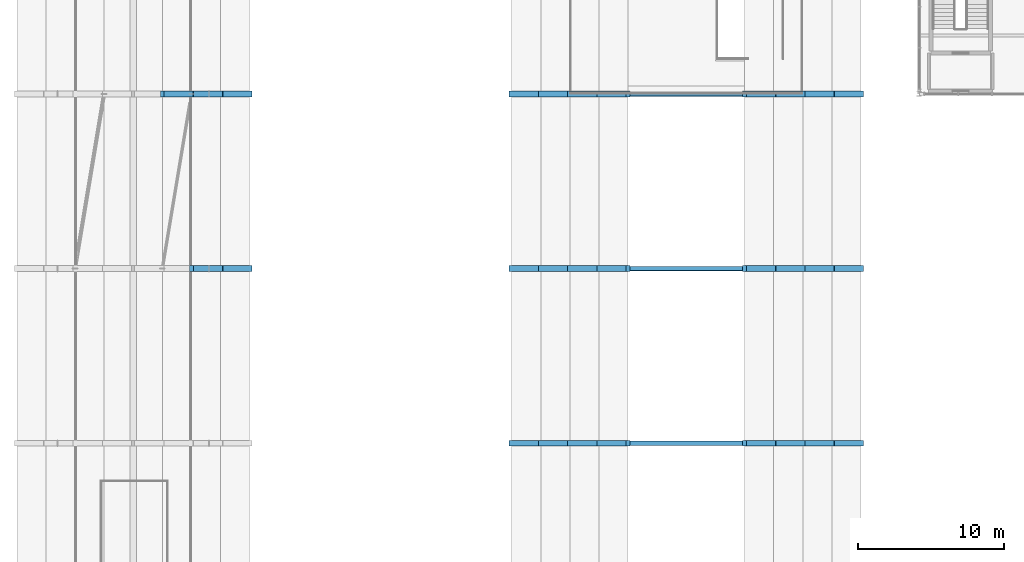
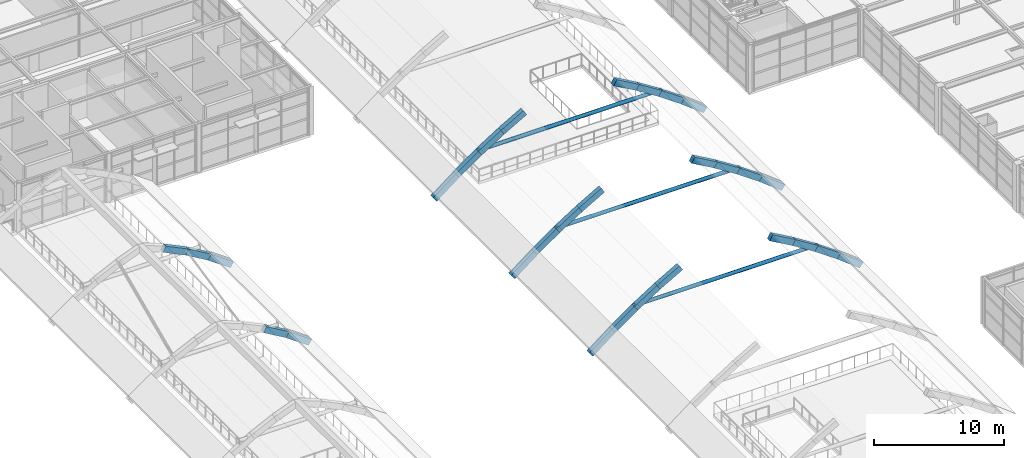
# One storey, part 17 of 82: 29 beams, 3 members.
"""IFC4 building model written with IfcOpenShell, lengths in metres."""

from ifc_helpers import new_model, si_unit, direction, frame, origin, origin_2d, place, context, subcontext, project, spatial, rectangle, hollow_circle, extrude, material, material_profile, profile_set, type_object, element, save


model = new_model("IFC4")

# Units and contexts
model_context = context("Model", 3, precision=1e-05, world=origin(), true_north=direction((0.0, 1.0)))
body_context = subcontext(model_context, "Body", "Model", "MODEL_VIEW")
ifc_project = project(units=[si_unit("LENGTHUNIT", "METRE"), si_unit("AREAUNIT", "SQUARE_METRE"), si_unit("VOLUMEUNIT", "CUBIC_METRE"), si_unit("PLANEANGLEUNIT", "RADIAN"), si_unit("MASSUNIT", "GRAM", prefix="KILO")], contexts=[model_context])

# Site, building, storey
site_placement = place(None, origin())
site = spatial("IfcSite", under=ifc_project, at=site_placement, CompositionType="ELEMENT")
building_placement = place(site_placement, origin())
building = spatial("IfcBuilding", under=site, at=building_placement, Name="Sitalva Quay Ferry Terminal", CompositionType="ELEMENT")
storey_placement = place(building_placement, frame((0.0, 0.0, 5.39990234375)))
storey = spatial("IfcBuildingStorey", under=building, at=storey_placement, Name="L02", CompositionType="ELEMENT", Elevation=5.39990234375)

# Beams
ifc_material_1 = material(Name="Concrete C40/50", Category="concrete")
ifc_material_profile_1 = material_profile(ifc_material_1, rectangle(XDim=0.39990234375, YDim=0.550048828125, at=origin_2d()), Name="RC400x550")
ifc_profile_set_1 = profile_set([ifc_material_profile_1], Name="Concrete C40/50")
beam_type = type_object("IfcBeamType", Name="Beam_Arch_RC400x550", PredefinedType="BEAM", material=ifc_profile_set_1)
beam_1_placement = place(storey_placement, frame((46.0, 42.0, -0.172119140625), z_axis=(0.791620661202, 0.0, 0.611012871189), x_axis=(0.0, 1.0, 0.0)))
element("IfcBeam", 1, at=beam_1_placement, inside=storey, type_object=beam_type, Name="Vault V1 transverse arch rib 4.3", PredefinedType="BEAM", context=body_context, shape_type="SweptSolid", body=[
    extrude(rectangle(XDim=0.39990234375, YDim=0.550048828125, at=origin_2d()), origin(), (0.0, 0.0, 1.0), 2.5263671875),
])
beam_2_placement = place(storey_placement, frame((48.0, 42.0, 1.378662109375), z_axis=(0.81986146461, 0.0, 0.572561943241), x_axis=(0.0, 1.0, 0.0)))
element("IfcBeam", 2, at=beam_2_placement, inside=storey, type_object=beam_type, Name="Vault V1 transverse arch rib 4.4", PredefinedType="BEAM", context=body_context, shape_type="SweptSolid", body=[
    extrude(rectangle(XDim=0.39990234375, YDim=0.550048828125, at=origin_2d()), origin(), (0.0, 0.0, 1.0), 2.439453125),
])
beam_3_placement = place(storey_placement, frame((50.0, 42.0, 2.78125), z_axis=(0.845437399876, 0.0, 0.534074529341), x_axis=(0.0, 1.0, 0.0)))
element("IfcBeam", 3, at=beam_3_placement, inside=storey, type_object=beam_type, Name="Vault V1 transverse arch rib 4.5", PredefinedType="BEAM", context=body_context, shape_type="SweptSolid", body=[
    extrude(rectangle(XDim=0.39990234375, YDim=0.550048828125, at=origin_2d()), origin(), (0.0, 0.0, 1.0), 2.36572265625),
])
for number, where, z_axis, x_axis, name in (
    (4, (52.0, 42.0, 4.0498046875), (0.868569189846, 0.0, 0.495567919109), (0.0, 1.0, 0.0), "Vault V1 transverse arch rib 4.6"),
    (5, (62.0, 42.0, 5.19091796875), (0.868569189846, 0.0, -0.495567919109), (0.0, 1.0, 0.0), "Vault V1 transverse arch rib 4.11"),
):
    element("IfcBeam", number, at=place(storey_placement, frame(where, z_axis=z_axis, x_axis=x_axis)), inside=storey, type_object=beam_type, Name=name, PredefinedType="BEAM", context=body_context, shape_type="SweptSolid", body=[
        extrude(rectangle(XDim=0.39990234375, YDim=0.550048828125, at=origin_2d()), origin(), (0.0, 0.0, 1.0), 2.302734375),
    ])
beam_4_placement = place(storey_placement, frame((64.0, 42.0, 4.044677734375), z_axis=(0.845437399876, 0.0, -0.534074529341), x_axis=(0.0, 1.0, 0.0)))
element("IfcBeam", 6, at=beam_4_placement, inside=storey, type_object=beam_type, Name="Vault V1 transverse arch rib 4.12", PredefinedType="BEAM", context=body_context, shape_type="SweptSolid", body=[
    extrude(rectangle(XDim=0.39990234375, YDim=0.550048828125, at=origin_2d()), origin(), (0.0, 0.0, 1.0), 2.36572265625),
])
beam_5_placement = place(storey_placement, frame((66.0, 42.0, 2.775390625), z_axis=(0.81986146461, 0.0, -0.572561943241), x_axis=(0.0, 1.0, 0.0)))
element("IfcBeam", 7, at=beam_5_placement, inside=storey, type_object=beam_type, Name="Vault V1 transverse arch rib 4.13", PredefinedType="BEAM", context=body_context, shape_type="SweptSolid", body=[
    extrude(rectangle(XDim=0.39990234375, YDim=0.550048828125, at=origin_2d()), origin(), (0.0, 0.0, 1.0), 2.439453125),
])
for number, where, z_axis, x_axis, name in (
    (8, (68.0, 42.0, 1.37158203125), (0.791620661202, 0.0, -0.611012871189), (0.0, 1.0, 0.0), "Vault V1 transverse arch rib 4.14"),
    (9, (46.0, 54.0, -0.172119140625), (0.791620661202, 0.0, 0.611012871189), (0.0, 1.0, 0.0), "Vault V1 transverse arch rib 5.3"),
):
    element("IfcBeam", number, at=place(storey_placement, frame(where, z_axis=z_axis, x_axis=x_axis)), inside=storey, type_object=beam_type, Name=name, PredefinedType="BEAM", context=body_context, shape_type="SweptSolid", body=[
        extrude(rectangle(XDim=0.39990234375, YDim=0.550048828125, at=origin_2d()), origin(), (0.0, 0.0, 1.0), 2.5263671875),
    ])
beam_6_placement = place(storey_placement, frame((48.0, 54.0, 1.378662109375), z_axis=(0.81986146461, 0.0, 0.572561943241), x_axis=(0.0, 1.0, 0.0)))
element("IfcBeam", 10, at=beam_6_placement, inside=storey, type_object=beam_type, Name="Vault V1 transverse arch rib 5.4", PredefinedType="BEAM", context=body_context, shape_type="SweptSolid", body=[
    extrude(rectangle(XDim=0.39990234375, YDim=0.550048828125, at=origin_2d()), origin(), (0.0, 0.0, 1.0), 2.439453125),
])
beam_7_placement = place(storey_placement, frame((50.0, 54.0, 2.78125), z_axis=(0.845437399876, 0.0, 0.534074529341), x_axis=(0.0, 1.0, 0.0)))
element("IfcBeam", 11, at=beam_7_placement, inside=storey, type_object=beam_type, Name="Vault V1 transverse arch rib 5.5", PredefinedType="BEAM", context=body_context, shape_type="SweptSolid", body=[
    extrude(rectangle(XDim=0.39990234375, YDim=0.550048828125, at=origin_2d()), origin(), (0.0, 0.0, 1.0), 2.36572265625),
])
for number, where, z_axis, x_axis, name in (
    (12, (52.0, 54.0, 4.0498046875), (0.868569189846, 0.0, 0.495567919109), (0.0, 1.0, 0.0), "Vault V1 transverse arch rib 5.6"),
    (13, (62.0, 54.0, 5.19091796875), (0.868569189846, 0.0, -0.495567919109), (0.0, 1.0, 0.0), "Vault V1 transverse arch rib 5.11"),
):
    element("IfcBeam", number, at=place(storey_placement, frame(where, z_axis=z_axis, x_axis=x_axis)), inside=storey, type_object=beam_type, Name=name, PredefinedType="BEAM", context=body_context, shape_type="SweptSolid", body=[
        extrude(rectangle(XDim=0.39990234375, YDim=0.550048828125, at=origin_2d()), origin(), (0.0, 0.0, 1.0), 2.302734375),
    ])
beam_8_placement = place(storey_placement, frame((64.0, 54.0, 4.044677734375), z_axis=(0.845437399876, 0.0, -0.534074529341), x_axis=(0.0, 1.0, 0.0)))
element("IfcBeam", 14, at=beam_8_placement, inside=storey, type_object=beam_type, Name="Vault V1 transverse arch rib 5.12", PredefinedType="BEAM", context=body_context, shape_type="SweptSolid", body=[
    extrude(rectangle(XDim=0.39990234375, YDim=0.550048828125, at=origin_2d()), origin(), (0.0, 0.0, 1.0), 2.36572265625),
])
beam_9_placement = place(storey_placement, frame((66.0, 54.0, 2.775390625), z_axis=(0.81986146461, 0.0, -0.572561943241), x_axis=(0.0, 1.0, 0.0)))
element("IfcBeam", 15, at=beam_9_placement, inside=storey, type_object=beam_type, Name="Vault V1 transverse arch rib 5.13", PredefinedType="BEAM", context=body_context, shape_type="SweptSolid", body=[
    extrude(rectangle(XDim=0.39990234375, YDim=0.550048828125, at=origin_2d()), origin(), (0.0, 0.0, 1.0), 2.439453125),
])
for number, where, z_axis, x_axis, name in (
    (16, (68.0, 54.0, 1.37158203125), (0.791620661202, 0.0, -0.611012871189), (0.0, 1.0, 0.0), "Vault V1 transverse arch rib 5.14"),
    (17, (46.0, 66.0, -0.172119140625), (0.791620661202, 0.0, 0.611012871189), (0.0, 1.0, 0.0), "Vault V1 transverse arch rib 6.3"),
):
    element("IfcBeam", number, at=place(storey_placement, frame(where, z_axis=z_axis, x_axis=x_axis)), inside=storey, type_object=beam_type, Name=name, PredefinedType="BEAM", context=body_context, shape_type="SweptSolid", body=[
        extrude(rectangle(XDim=0.39990234375, YDim=0.550048828125, at=origin_2d()), origin(), (0.0, 0.0, 1.0), 2.5263671875),
    ])
beam_10_placement = place(storey_placement, frame((48.0, 66.0, 1.378662109375), z_axis=(0.81986146461, 0.0, 0.572561943241), x_axis=(0.0, 1.0, 0.0)))
element("IfcBeam", 18, at=beam_10_placement, inside=storey, type_object=beam_type, Name="Vault V1 transverse arch rib 6.4", PredefinedType="BEAM", context=body_context, shape_type="SweptSolid", body=[
    extrude(rectangle(XDim=0.39990234375, YDim=0.550048828125, at=origin_2d()), origin(), (0.0, 0.0, 1.0), 2.439453125),
])
beam_11_placement = place(storey_placement, frame((50.0, 66.0, 2.78125), z_axis=(0.845437399876, 0.0, 0.534074529341), x_axis=(0.0, 1.0, 0.0)))
element("IfcBeam", 19, at=beam_11_placement, inside=storey, type_object=beam_type, Name="Vault V1 transverse arch rib 6.5", PredefinedType="BEAM", context=body_context, shape_type="SweptSolid", body=[
    extrude(rectangle(XDim=0.39990234375, YDim=0.550048828125, at=origin_2d()), origin(), (0.0, 0.0, 1.0), 2.36572265625),
])
for number, where, z_axis, x_axis, name in (
    (20, (52.0, 66.0, 4.0498046875), (0.868569189846, 0.0, 0.495567919109), (0.0, 1.0, 0.0), "Vault V1 transverse arch rib 6.6"),
    (21, (62.0, 66.0, 5.19091796875), (0.868569189846, 0.0, -0.495567919109), (0.0, 1.0, 0.0), "Vault V1 transverse arch rib 6.11"),
):
    element("IfcBeam", number, at=place(storey_placement, frame(where, z_axis=z_axis, x_axis=x_axis)), inside=storey, type_object=beam_type, Name=name, PredefinedType="BEAM", context=body_context, shape_type="SweptSolid", body=[
        extrude(rectangle(XDim=0.39990234375, YDim=0.550048828125, at=origin_2d()), origin(), (0.0, 0.0, 1.0), 2.302734375),
    ])
beam_12_placement = place(storey_placement, frame((64.0, 66.0, 4.044677734375), z_axis=(0.845437399876, 0.0, -0.534074529341), x_axis=(0.0, 1.0, 0.0)))
element("IfcBeam", 22, at=beam_12_placement, inside=storey, type_object=beam_type, Name="Vault V1 transverse arch rib 6.12", PredefinedType="BEAM", context=body_context, shape_type="SweptSolid", body=[
    extrude(rectangle(XDim=0.39990234375, YDim=0.550048828125, at=origin_2d()), origin(), (0.0, 0.0, 1.0), 2.36572265625),
])
beam_13_placement = place(storey_placement, frame((66.0, 66.0, 2.775390625), z_axis=(0.81986146461, 0.0, -0.572561943241), x_axis=(0.0, 1.0, 0.0)))
element("IfcBeam", 23, at=beam_13_placement, inside=storey, type_object=beam_type, Name="Vault V1 transverse arch rib 6.13", PredefinedType="BEAM", context=body_context, shape_type="SweptSolid", body=[
    extrude(rectangle(XDim=0.39990234375, YDim=0.550048828125, at=origin_2d()), origin(), (0.0, 0.0, 1.0), 2.439453125),
])
beam_14_placement = place(storey_placement, frame((68.0, 66.0, 1.37158203125), z_axis=(0.791620661202, 0.0, -0.611012871189), x_axis=(0.0, 1.0, 0.0)))
element("IfcBeam", 24, at=beam_14_placement, inside=storey, type_object=beam_type, Name="Vault V1 transverse arch rib 6.14", PredefinedType="BEAM", context=body_context, shape_type="SweptSolid", body=[
    extrude(rectangle(XDim=0.39990234375, YDim=0.550048828125, at=origin_2d()), origin(), (0.0, 0.0, 1.0), 2.5263671875),
])
beam_15_placement = place(storey_placement, frame((24.0, 54.0, 2.60009765625), z_axis=(0.863029032245, 0.0, -0.505154322463), x_axis=(0.0, 1.0, 0.0)))
element("IfcBeam", 25, at=beam_15_placement, inside=storey, type_object=beam_type, Name="Vault V2 transverse arch rib 5.9", PredefinedType="BEAM", context=body_context, shape_type="SweptSolid", body=[
    extrude(rectangle(XDim=0.39990234375, YDim=0.550048828125, at=origin_2d()), origin(), (0.0, 0.0, 1.0), 2.3173828125),
])
beam_16_placement = place(storey_placement, frame((26.0, 54.0, 1.4189453125), z_axis=(0.816948516584, 0.0, -0.57671060442), x_axis=(0.0, 1.0, 0.0)))
element("IfcBeam", 26, at=beam_16_placement, inside=storey, type_object=beam_type, Name="Vault V2 transverse arch rib 5.10", PredefinedType="BEAM", context=body_context, shape_type="SweptSolid", body=[
    extrude(rectangle(XDim=0.39990234375, YDim=0.550048828125, at=origin_2d()), origin(), (0.0, 0.0, 1.0), 2.4482421875),
])
beam_17_placement = place(storey_placement, frame((22.0, 66.0, 3.570556640625), z_axis=(0.901057393418, 0.0, -0.433699865997), x_axis=(0.0, 1.0, 0.0)))
element("IfcBeam", 27, at=beam_17_placement, inside=storey, type_object=beam_type, Name="Vault V2 transverse arch rib 6.8", PredefinedType="BEAM", context=body_context, shape_type="SweptSolid", body=[
    extrude(rectangle(XDim=0.39990234375, YDim=0.550048828125, at=origin_2d()), origin(), (0.0, 0.0, 1.0), 2.2197265625),
])
beam_18_placement = place(storey_placement, frame((24.0, 66.0, 2.60009765625), z_axis=(0.863029032245, 0.0, -0.505154322463), x_axis=(0.0, 1.0, 0.0)))
element("IfcBeam", 28, at=beam_18_placement, inside=storey, type_object=beam_type, Name="Vault V2 transverse arch rib 6.9", PredefinedType="BEAM", context=body_context, shape_type="SweptSolid", body=[
    extrude(rectangle(XDim=0.39990234375, YDim=0.550048828125, at=origin_2d()), origin(), (0.0, 0.0, 1.0), 2.3173828125),
])
beam_19_placement = place(storey_placement, frame((26.0, 66.0, 1.4189453125), z_axis=(0.816948516584, 0.0, -0.57671060442), x_axis=(0.0, 1.0, 0.0)))
element("IfcBeam", 29, at=beam_19_placement, inside=storey, type_object=beam_type, Name="Vault V2 transverse arch rib 6.10", PredefinedType="BEAM", context=body_context, shape_type="SweptSolid", body=[
    extrude(rectangle(XDim=0.39990234375, YDim=0.550048828125, at=origin_2d()), origin(), (0.0, 0.0, 1.0), 2.4482421875),
])

# Members
ifc_material_2 = material(Name="Structural Steel S355JR", Category="steel")
ifc_material_profile_2 = material_profile(ifc_material_2, hollow_circle(Radius=0.161865234375, WallThickness=0.012451171875, at=origin_2d()), Name="CHS324x12.5")
ifc_profile_set_2 = profile_set([ifc_material_profile_2], Name="Structural Steel S355JR")
member_type = type_object("IfcMemberType", Name="Strut_CHS324x12", PredefinedType="STRUT", material=ifc_profile_set_2)
for number, where, z_axis, x_axis, name in (
    (30, (49.800048828125, 42.0, 2.9501953125), (1.0, 0.0, 0.0), (0.0, 1.0, 0.0), "Vault V1 elevated arch collar tie 4"),
    (31, (49.800048828125, 54.0, 2.9501953125), (1.0, 0.0, 0.0), (0.0, 1.0, 0.0), "Vault V1 elevated arch collar tie 5"),
    (32, (49.800048828125, 66.0, 2.9501953125), (1.0, 0.0, 0.0), (0.0, 1.0, 0.0), "Vault V1 elevated arch collar tie 6"),
):
    element("IfcMember", number, at=place(storey_placement, frame(where, z_axis=z_axis, x_axis=x_axis)), inside=storey, type_object=member_type, Name=name, PredefinedType="STRUT", context=body_context, shape_type="SweptSolid", body=[
        extrude(hollow_circle(Radius=0.161865234375, WallThickness=0.012451171875, at=origin_2d()), origin(), (0.0, 0.0, 1.0), 16.39990234375),
    ])

save(model, "model.ifc")
